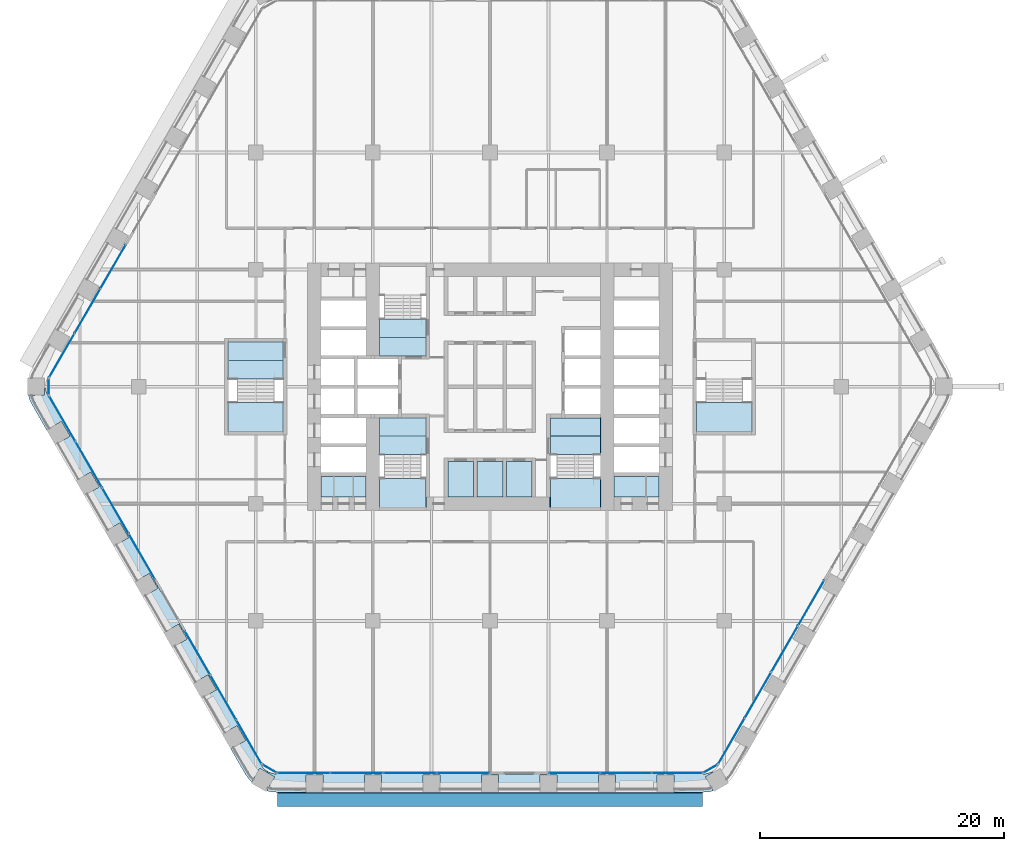
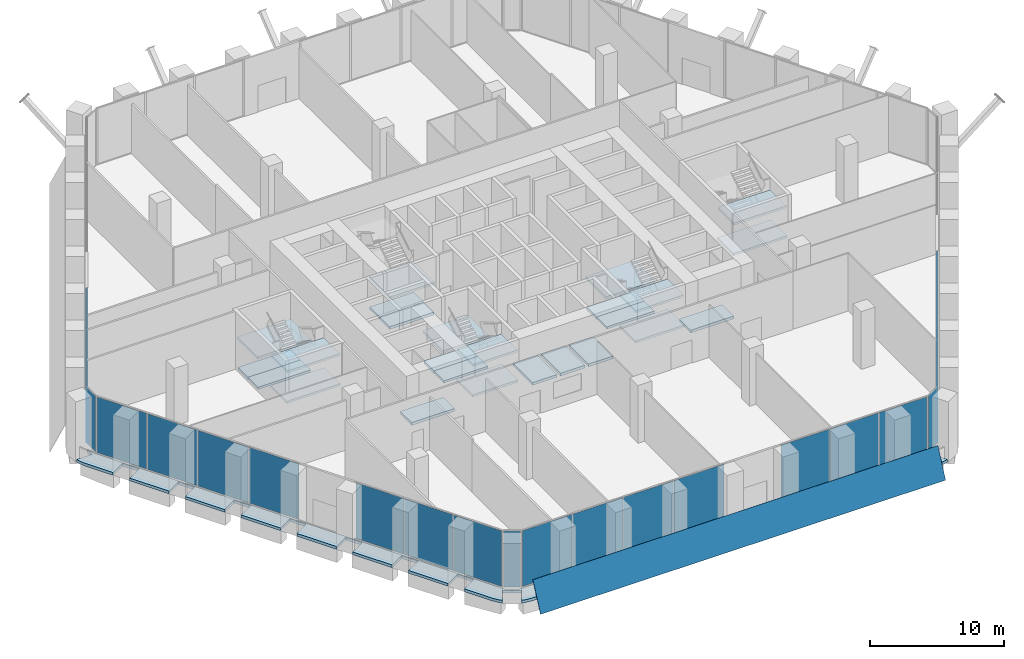
# One storey, part 15 of 29: 27 slabs, 25 plates, 14 elements without a shape of their own.
"""IFC4 building model written with IfcOpenShell, lengths in metres."""

from ifc_helpers import new_model, si_unit, direction, frame, origin, origin_2d, place, context, subcontext, project, spatial, polyline, rectangle, outline, extrude, material, layer, layer_set, type_object, element, aggregate, save


model = new_model("IFC4")

# Units and contexts
model_context = context("Model", 3, precision=1e-05, world=origin(), true_north=direction((0.0, 1.0)))
body_context = subcontext(model_context, "Body", "Model", "MODEL_VIEW")
ifc_project = project(units=[si_unit("LENGTHUNIT", "METRE"), si_unit("AREAUNIT", "SQUARE_METRE"), si_unit("VOLUMEUNIT", "CUBIC_METRE"), si_unit("PLANEANGLEUNIT", "RADIAN"), si_unit("MASSUNIT", "GRAM", prefix="KILO")], contexts=[model_context])

# Site, building, storey
site_placement = place(None, origin())
site = spatial("IfcSite", under=ifc_project, at=site_placement, CompositionType="ELEMENT")
building_placement = place(site_placement, origin())
building = spatial("IfcBuilding", under=site, at=building_placement, Name="Kolab Exchange Tower", CompositionType="ELEMENT")
storey_placement = place(building_placement, frame((0.0, 0.0, 33.39990234375)))
storey = spatial("IfcBuildingStorey", under=building, at=storey_placement, Name="L06", CompositionType="ELEMENT", Elevation=33.39990234375)

# Slabs
ifc_material_1 = material(Name="Concrete C35/45", Category="concrete")
ifc_layer_1 = layer(ifc_material_1, 0.25)
ifc_layer_set_1 = layer_set([ifc_layer_1], Name="Concrete C35/45")
slab_type_1 = type_object("IfcSlabType", Name="FLOOR SLAB 250", PredefinedType="FLOOR", material=ifc_layer_set_1)
slab_1_placement = place(storey_placement, frame((0.0, 0.0, -0.25)))
element("IfcSlab", 1, at=slab_1_placement, inside=storey, type_object=slab_type_1, Name="slab/L06/floor/8", PredefinedType="FLOOR", context=body_context, shape_type="SweptSolid", body=[
    extrude(outline(polyline([(-21.449951171875, 3.64990234375), (-21.449951171875, 2.14990234375), (-16.949951171875, 2.14990234375), (-16.949951171875, 3.64990234375), (-21.449951171875, 3.64990234375)])), origin(), (0.0, 0.0, 1.0), 0.25),
])
slab_2_placement = place(storey_placement, frame((0.0, 0.0, -0.25)))
element("IfcSlab", 2, at=slab_2_placement, inside=storey, type_object=slab_type_1, Name="slab/L06/floor/10", PredefinedType="FLOOR", context=body_context, shape_type="SweptSolid", body=[
    extrude(outline(polyline([(-10.14990234375, -9.050048828125), (-10.14990234375, -7.35009765625), (-13.85009765625, -7.35009765625), (-13.85009765625, -9.050048828125), (-10.14990234375, -9.050048828125)])), origin(), (0.0, 0.0, 1.0), 0.25),
])
slab_3_placement = place(storey_placement, frame((0.0, 0.0, -0.25)))
element("IfcSlab", 3, at=slab_3_placement, inside=storey, type_object=slab_type_1, Name="slab/L06/floor/12", PredefinedType="FLOOR", context=body_context, shape_type="SweptSolid", body=[
    extrude(outline(polyline([(10.14990234375, -7.35009765625), (10.14990234375, -9.050048828125), (13.85009765625, -9.050048828125), (13.85009765625, -7.35009765625), (10.14990234375, -7.35009765625)])), origin(), (0.0, 0.0, 1.0), 0.25),
])
slab_4_placement = place(storey_placement, frame((0.0, 0.0, -0.25)))
element("IfcSlab", 4, at=slab_4_placement, inside=storey, type_object=slab_type_1, Name="slab/L06/floor/14", PredefinedType="FLOOR", context=body_context, shape_type="SweptSolid", body=[
    extrude(outline(polyline([(9.050048828125, -4.050048828125), (9.050048828125, -2.550048828125), (6.14990234375, -2.550048828125), (5.85009765625, -2.550048828125), (4.949951171875, -2.550048828125), (4.949951171875, -4.050048828125), (9.050048828125, -4.050048828125)])), origin(), (0.0, 0.0, 1.0), 0.25),
])
slab_5_placement = place(storey_placement, frame((0.0, 0.0, -0.25)))
element("IfcSlab", 5, at=slab_5_placement, inside=storey, type_object=slab_type_1, Name="slab/L06/floor/15", PredefinedType="FLOOR", context=body_context, shape_type="SweptSolid", body=[
    extrude(outline(polyline([(1.050048828125, -6.14990234375), (-1.050048828125, -6.14990234375), (-1.050048828125, -9.050048828125), (1.050048828125, -9.050048828125), (1.050048828125, -6.14990234375)])), origin(), (0.0, 0.0, 1.0), 0.25),
])
slab_6_placement = place(storey_placement, frame((0.0, 0.0, -0.25)))
element("IfcSlab", 6, at=slab_6_placement, inside=storey, type_object=slab_type_1, Name="slab/L06/floor/17", PredefinedType="FLOOR", context=body_context, shape_type="SweptSolid", body=[
    extrude(outline(polyline([(-1.35009765625, -6.14990234375), (-3.449951171875, -6.14990234375), (-3.449951171875, -9.050048828125), (-1.35009765625, -9.050048828125), (-1.35009765625, -6.14990234375)])), origin(), (0.0, 0.0, 1.0), 0.25),
])
slab_7_placement = place(storey_placement, frame((0.0, 0.0, -0.25)))
element("IfcSlab", 7, at=slab_7_placement, inside=storey, type_object=slab_type_1, Name="slab/L06/floor/19", PredefinedType="FLOOR", context=body_context, shape_type="SweptSolid", body=[
    extrude(outline(polyline([(1.35009765625, -6.14990234375), (1.35009765625, -9.050048828125), (3.449951171875, -9.050048828125), (3.449951171875, -6.14990234375), (1.35009765625, -6.14990234375)])), origin(), (0.0, 0.0, 1.0), 0.25),
])
slab_8_placement = place(storey_placement, frame((0.0, 0.0, -0.25)))
element("IfcSlab", 8, at=slab_8_placement, inside=storey, type_object=slab_type_1, Name="slab/L06/floor/21", PredefinedType="FLOOR", context=body_context, shape_type="SweptSolid", body=[
    extrude(outline(polyline([(-9.050048828125, -4.050048828125), (-5.25, -4.050048828125), (-5.25, -2.550048828125), (-7.25, -2.550048828125), (-7.550048828125, -2.550048828125), (-9.050048828125, -2.550048828125), (-9.050048828125, -4.050048828125)])), origin(), (0.0, 0.0, 1.0), 0.25),
])
slab_9_placement = place(storey_placement, frame((0.0, 0.0, -0.25)))
element("IfcSlab", 9, at=slab_9_placement, inside=storey, type_object=slab_type_1, Name="slab/L06/floor/22", PredefinedType="FLOOR", context=body_context, shape_type="SweptSolid", body=[
    extrude(outline(polyline([(-5.25, 4.050048828125), (-9.050048828125, 4.050048828125), (-9.050048828125, 2.550048828125), (-7.550048828125, 2.550048828125), (-7.25, 2.550048828125), (-5.25, 2.550048828125), (-5.25, 4.050048828125)])), origin(), (0.0, 0.0, 1.0), 0.25),
])
ifc_layer_2 = layer(ifc_material_1, 0.25)
ifc_layer_set_2 = layer_set([ifc_layer_2], Name="Concrete C35/45")
slab_type_2 = type_object("IfcSlabType", Name="LOGGIA SLAB 250", PredefinedType="FLOOR", material=ifc_layer_set_2)
slab_10_placement = place(storey_placement, frame((0.0, 0.0, -0.25)))
element("IfcSlab", 10, at=slab_10_placement, inside=storey, type_object=slab_type_2, Name="slab/L06/loggia/3-0", PredefinedType="FLOOR", context=body_context, shape_type="SweptSolid", body=[
    extrude(outline(polyline([(-18.218017578125, -31.554443359375), (-18.26806640625, -31.64111328125), (-17.66162109375, -31.990966796875), (-18.31494140625, -33.122314453125), (-17.989013671875, -33.209716796875), (-17.468017578125, -33.25537109375), (-15.10009765625, -33.25537109375), (-15.10009765625, -31.85546875), (-13.699951171875, -31.85546875), (-13.699951171875, -33.25537109375), (-10.300048828125, -33.25537109375), (-10.300048828125, -31.85546875), (-8.89990234375, -31.85546875), (-8.89990234375, -33.25537109375), (-5.5, -33.25537109375), (-5.5, -31.85546875), (-4.10009765625, -31.85546875), (-4.10009765625, -33.25537109375), (-0.699951171875, -33.25537109375), (-0.699951171875, -31.85546875), (0.699951171875, -31.85546875), (0.699951171875, -33.25537109375), (4.10009765625, -33.25537109375), (4.10009765625, -31.85546875), (5.5, -31.85546875), (5.5, -33.25537109375), (8.89990234375, -33.25537109375), (8.89990234375, -31.85546875), (10.300048828125, -31.85546875), (10.300048828125, -33.25537109375), (13.699951171875, -33.25537109375), (13.699951171875, -31.85546875), (15.10009765625, -31.85546875), (15.10009765625, -33.25537109375), (17.468017578125, -33.25537109375), (17.989013671875, -33.209716796875), (18.31494140625, -33.122314453125), (17.66162109375, -31.990966796875), (18.26806640625, -31.64111328125), (18.218017578125, -31.554443359375), (17.98095703125, -31.664794921875), (17.728515625, -31.732666015625), (17.468017578125, -31.75537109375), (-17.468017578125, -31.75537109375), (-17.728515625, -31.732666015625), (-17.98095703125, -31.664794921875), (-18.218017578125, -31.554443359375)])), origin(), (0.0, 0.0, 1.0), 0.25),
])
slab_11_placement = place(storey_placement, frame((0.0, 0.0, -0.25)))
element("IfcSlab", 11, at=slab_11_placement, inside=storey, type_object=slab_type_2, Name="slab/L06/loggia/4-0", PredefinedType="FLOOR", context=body_context, shape_type="SweptSolid", body=[
    extrude(outline(polyline([(-36.435791015625, 0.0), (-36.535888671875, 0.0), (-36.535888671875, -0.699951171875), (-37.84228515625, -0.699951171875), (-37.7548828125, -1.026123046875), (-37.533935546875, -1.5), (-36.35009765625, -3.55078125), (-35.137451171875, -2.8505859375), (-34.4375, -4.063232421875), (-35.64990234375, -4.76318359375), (-33.949951171875, -7.70751953125), (-32.737548828125, -7.007568359375), (-32.03759765625, -8.219970703125), (-33.25, -8.920166015625), (-31.550048828125, -11.864501953125), (-30.337646484375, -11.16455078125), (-29.637451171875, -12.376953125), (-30.85009765625, -13.076904296875), (-29.14990234375, -16.021484375), (-27.9375, -15.321533203125), (-27.237548828125, -16.533935546875), (-28.449951171875, -17.23388671875), (-26.75, -20.178466796875), (-25.53759765625, -19.478271484375), (-24.837646484375, -20.69091796875), (-26.050048828125, -21.390869140625), (-24.35009765625, -24.335205078125), (-23.137451171875, -23.63525390625), (-22.4375, -24.84765625), (-23.64990234375, -25.5478515625), (-21.949951171875, -28.4921875), (-20.737548828125, -27.792236328125), (-20.03759765625, -29.004638671875), (-21.25, -29.70458984375), (-20.06591796875, -31.75537109375), (-19.76611328125, -32.183837890625), (-19.52734375, -32.42236328125), (-18.874267578125, -31.291015625), (-18.26806640625, -31.64111328125), (-18.218017578125, -31.554443359375), (-18.43212890625, -31.404541015625), (-18.616943359375, -31.219482421875), (-18.76708984375, -31.00537109375), (-36.23486328125, -0.75), (-36.345458984375, -0.512939453125), (-36.4130859375, -0.260498046875), (-36.435791015625, 0.0)])), origin(), (0.0, 0.0, 1.0), 0.25),
])

# Plate
ifc_material_2 = material(Name="Laminated glass, clear", Category="glass")
ifc_layer_3 = layer(ifc_material_2, 0.0400390625)
ifc_layer_set_3 = layer_set([ifc_layer_3], Name="Laminated glass, clear")
plate_type_1 = type_object("IfcPlateType", Name="OUTER SKIN LAMINATED GLASS SHEET 40", PredefinedType="SHEET", material=ifc_layer_set_3)
plate_1_placement = place(storey_placement, frame((17.41796875, -34.435302734375, -0.782958984375), z_axis=(0.0, -0.906309875243, 0.422613783538), x_axis=(-1.0, 0.0, 0.0)))
element("IfcPlate", 12, at=plate_1_placement, inside=storey, type_object=plate_type_1, Name="Outer skin", PredefinedType="SHEET", context=body_context, shape_type="SweptSolid", body=[
    extrude(outline(polyline([(0.0, 0.0), (34.8359375, 0.0), (34.8359375, -2.7059095846952848), (0.0, -2.7059095846952848), (0.0, 0.0)])), origin(), (0.0, 0.0, -1.0), 0.0400390625),
])

# Stair, slabs
ifc_material_3 = material(Name="Concrete C50/60", Category="concrete")
stair_type_1 = type_object("IfcStairType", Name="STAIR ST1 RISER 171.9", PredefinedType="DOUBLE_RETURN_STAIR", material=ifc_material_3)
stair_1_placement = place(storey_placement, origin())
stair_1 = element("IfcStair", 13, at=stair_1_placement, inside=storey, type_object=stair_type_1, Name="Stair 1", PredefinedType="DOUBLE_RETURN_STAIR")
ifc_layer_4 = layer(ifc_material_3, 0.199951171875)
ifc_layer_set_4 = layer_set([ifc_layer_4], Name="Concrete C50/60")
slab_type_3 = type_object("IfcSlabType", Name="STAIR LANDING 200", PredefinedType="LANDING", material=ifc_layer_set_4)
slab_12_placement = place(storey_placement, frame((0.0, 0.0, -0.199951171875)))
slab_12 = element("IfcSlab", 14, at=slab_12_placement, type_object=slab_type_3, Name="ST1 landing 1", PredefinedType="LANDING", context=body_context, shape_type="SweptSolid", body=[
    extrude(outline(polyline([(-9.050048828125, 4.050048828125), (-5.25, 4.050048828125), (-5.25, 5.550048828125), (-9.050048828125, 5.550048828125), (-9.050048828125, 4.050048828125)])), origin(), (0.0, 0.0, 1.0), 0.199951171875),
])
slab_13_placement = place(storey_placement, frame((0.0, 0.0, 2.550048828125)))
slab_13 = element("IfcSlab", 15, at=slab_13_placement, type_object=slab_type_3, Name="ST1 landing 3", PredefinedType="LANDING", context=body_context, shape_type="SweptSolid", body=[
    extrude(outline(polyline([(-9.110107421875, 2.489990234375), (-5.18994140625, 2.489990234375), (-5.18994140625, 5.550048828125), (-9.110107421875, 5.550048828125), (-9.110107421875, 2.489990234375)])), origin(), (0.0, 0.0, 1.0), 0.199951171875),
])
aggregate(stair_1, [slab_12, slab_13])

stair_type_2 = type_object("IfcStairType", Name="STAIR ST3 RISER 171.9", PredefinedType="DOUBLE_RETURN_STAIR", material=ifc_material_3)
stair_2_placement = place(storey_placement, origin())
stair_2 = element("IfcStair", 16, at=stair_2_placement, inside=storey, type_object=stair_type_2, Name="Stair 3", PredefinedType="DOUBLE_RETURN_STAIR")
slab_14_placement = place(storey_placement, frame((0.0, 0.0, -0.199951171875)))
slab_14 = element("IfcSlab", 17, at=slab_14_placement, type_object=slab_type_3, Name="ST3 landing 1", PredefinedType="LANDING", context=body_context, shape_type="SweptSolid", body=[
    extrude(outline(polyline([(-9.050048828125, -5.550048828125), (-5.25, -5.550048828125), (-5.25, -4.050048828125), (-9.050048828125, -4.050048828125), (-9.050048828125, -5.550048828125)])), origin(), (0.0, 0.0, 1.0), 0.199951171875),
])
slab_15_placement = place(storey_placement, frame((0.0, 0.0, 1.175048828125)))
slab_15 = element("IfcSlab", 18, at=slab_15_placement, type_object=slab_type_3, Name="ST3 landing 2", PredefinedType="LANDING", context=body_context, shape_type="SweptSolid", body=[
    extrude(outline(polyline([(-9.110107421875, -9.909912109375), (-5.18994140625, -9.909912109375), (-5.18994140625, -7.510009765625), (-9.110107421875, -7.510009765625), (-9.110107421875, -9.909912109375)])), origin(), (0.0, 0.0, 1.0), 0.199951171875),
])
slab_16_placement = place(storey_placement, frame((0.0, 0.0, 2.550048828125)))
slab_16 = element("IfcSlab", 19, at=slab_16_placement, type_object=slab_type_3, Name="ST3 landing 3", PredefinedType="LANDING", context=body_context, shape_type="SweptSolid", body=[
    extrude(outline(polyline([(-9.110107421875, -5.550048828125), (-5.18994140625, -5.550048828125), (-5.18994140625, -2.489990234375), (-9.110107421875, -2.489990234375), (-9.110107421875, -5.550048828125)])), origin(), (0.0, 0.0, 1.0), 0.199951171875),
])
slab_17_placement = place(storey_placement, frame((0.0, 0.0, 3.925048828125)))
slab_17 = element("IfcSlab", 20, at=slab_17_placement, type_object=slab_type_3, Name="ST3 landing 4", PredefinedType="LANDING", context=body_context, shape_type="SweptSolid", body=[
    extrude(outline(polyline([(-9.050048828125, -9.909912109375), (-5.25, -9.909912109375), (-5.25, -7.510009765625), (-9.050048828125, -7.510009765625), (-9.050048828125, -9.909912109375)])), origin(), (0.0, 0.0, 1.0), 0.199951171875),
])
aggregate(stair_2, [slab_14, slab_15, slab_16, slab_17])

stair_type_3 = type_object("IfcStairType", Name="STAIR ST2 RISER 171.9", PredefinedType="DOUBLE_RETURN_STAIR", material=ifc_material_3)
stair_3_placement = place(storey_placement, origin())
stair_3 = element("IfcStair", 21, at=stair_3_placement, inside=storey, type_object=stair_type_3, Name="Stair 2", PredefinedType="DOUBLE_RETURN_STAIR")
slab_18_placement = place(storey_placement, frame((0.0, 0.0, -0.199951171875)))
slab_18 = element("IfcSlab", 22, at=slab_18_placement, type_object=slab_type_3, Name="ST2 landing 1", PredefinedType="LANDING", context=body_context, shape_type="SweptSolid", body=[
    extrude(outline(polyline([(4.949951171875, -5.550048828125), (9.050048828125, -5.550048828125), (9.050048828125, -4.050048828125), (4.949951171875, -4.050048828125), (4.949951171875, -5.550048828125)])), origin(), (0.0, 0.0, 1.0), 0.199951171875),
])
slab_19_placement = place(storey_placement, frame((0.0, 0.0, 1.175048828125)))
slab_19 = element("IfcSlab", 23, at=slab_19_placement, type_object=slab_type_3, Name="ST2 landing 2", PredefinedType="LANDING", context=body_context, shape_type="SweptSolid", body=[
    extrude(outline(polyline([(4.889892578125, -9.909912109375), (9.110107421875, -9.909912109375), (9.110107421875, -7.510009765625), (4.889892578125, -7.510009765625), (4.889892578125, -9.909912109375)])), origin(), (0.0, 0.0, 1.0), 0.199951171875),
])
slab_20_placement = place(storey_placement, frame((0.0, 0.0, 2.550048828125)))
slab_20 = element("IfcSlab", 24, at=slab_20_placement, type_object=slab_type_3, Name="ST2 landing 3", PredefinedType="LANDING", context=body_context, shape_type="SweptSolid", body=[
    extrude(outline(polyline([(4.889892578125, -5.550048828125), (9.110107421875, -5.550048828125), (9.110107421875, -2.489990234375), (4.889892578125, -2.489990234375), (4.889892578125, -5.550048828125)])), origin(), (0.0, 0.0, 1.0), 0.199951171875),
])
slab_21_placement = place(storey_placement, frame((0.0, 0.0, 3.925048828125)))
slab_21 = element("IfcSlab", 25, at=slab_21_placement, type_object=slab_type_3, Name="ST2 landing 4", PredefinedType="LANDING", context=body_context, shape_type="SweptSolid", body=[
    extrude(outline(polyline([(4.949951171875, -9.909912109375), (9.050048828125, -9.909912109375), (9.050048828125, -7.510009765625), (4.949951171875, -7.510009765625), (4.949951171875, -9.909912109375)])), origin(), (0.0, 0.0, 1.0), 0.199951171875),
])
aggregate(stair_3, [slab_18, slab_19, slab_20, slab_21])

stair_type_4 = type_object("IfcStairType", Name="STAIR ST4 RISER 171.9", PredefinedType="DOUBLE_RETURN_STAIR", material=ifc_material_3)
stair_4_placement = place(storey_placement, origin())
stair_4 = element("IfcStair", 26, at=stair_4_placement, inside=storey, type_object=stair_type_4, Name="Stair 4", PredefinedType="DOUBLE_RETURN_STAIR")
slab_22_placement = place(storey_placement, frame((0.0, 0.0, 1.175048828125)))
slab_22 = element("IfcSlab", 27, at=slab_22_placement, type_object=slab_type_3, Name="ST4 landing 2", PredefinedType="LANDING", context=body_context, shape_type="SweptSolid", body=[
    extrude(outline(polyline([(16.889892578125, -3.7099609375), (21.510009765625, -3.7099609375), (21.510009765625, -1.31005859375), (16.889892578125, -1.31005859375), (16.889892578125, -3.7099609375)])), origin(), (0.0, 0.0, 1.0), 0.199951171875),
])
slab_23_placement = place(storey_placement, frame((0.0, 0.0, 3.925048828125)))
slab_23 = element("IfcSlab", 28, at=slab_23_placement, type_object=slab_type_3, Name="ST4 landing 4", PredefinedType="LANDING", context=body_context, shape_type="SweptSolid", body=[
    extrude(outline(polyline([(16.949951171875, -3.7099609375), (21.449951171875, -3.7099609375), (21.449951171875, -1.31005859375), (16.949951171875, -1.31005859375), (16.949951171875, -3.7099609375)])), origin(), (0.0, 0.0, 1.0), 0.199951171875),
])
aggregate(stair_4, [slab_22, slab_23])

stair_type_5 = type_object("IfcStairType", Name="STAIR ST5 RISER 171.9", PredefinedType="DOUBLE_RETURN_STAIR", material=ifc_material_3)
stair_5_placement = place(storey_placement, origin())
stair_5 = element("IfcStair", 29, at=stair_5_placement, inside=storey, type_object=stair_type_5, Name="Stair 5", PredefinedType="DOUBLE_RETURN_STAIR")
slab_24_placement = place(storey_placement, frame((0.0, 0.0, -0.199951171875)))
slab_24 = element("IfcSlab", 30, at=slab_24_placement, type_object=slab_type_3, Name="ST5 landing 1", PredefinedType="LANDING", context=body_context, shape_type="SweptSolid", body=[
    extrude(outline(polyline([(-21.449951171875, 0.64990234375), (-16.949951171875, 0.64990234375), (-16.949951171875, 2.14990234375), (-21.449951171875, 2.14990234375), (-21.449951171875, 0.64990234375)])), origin(), (0.0, 0.0, 1.0), 0.199951171875),
])
slab_25_placement = place(storey_placement, frame((0.0, 0.0, 1.175048828125)))
slab_25 = element("IfcSlab", 31, at=slab_25_placement, type_object=slab_type_3, Name="ST5 landing 2", PredefinedType="LANDING", context=body_context, shape_type="SweptSolid", body=[
    extrude(outline(polyline([(-21.510009765625, -3.7099609375), (-16.889892578125, -3.7099609375), (-16.889892578125, -1.31005859375), (-21.510009765625, -1.31005859375), (-21.510009765625, -3.7099609375)])), origin(), (0.0, 0.0, 1.0), 0.199951171875),
])
slab_26_placement = place(storey_placement, frame((0.0, 0.0, 2.550048828125)))
slab_26 = element("IfcSlab", 32, at=slab_26_placement, type_object=slab_type_3, Name="ST5 landing 3", PredefinedType="LANDING", context=body_context, shape_type="SweptSolid", body=[
    extrude(outline(polyline([(-21.510009765625, 0.64990234375), (-16.889892578125, 0.64990234375), (-16.889892578125, 3.7099609375), (-21.510009765625, 3.7099609375), (-21.510009765625, 0.64990234375)])), origin(), (0.0, 0.0, 1.0), 0.199951171875),
])
slab_27_placement = place(storey_placement, frame((0.0, 0.0, 3.925048828125)))
slab_27 = element("IfcSlab", 33, at=slab_27_placement, type_object=slab_type_3, Name="ST5 landing 4", PredefinedType="LANDING", context=body_context, shape_type="SweptSolid", body=[
    extrude(outline(polyline([(-21.449951171875, -3.7099609375), (-16.949951171875, -3.7099609375), (-16.949951171875, -1.31005859375), (-21.449951171875, -1.31005859375), (-21.449951171875, -3.7099609375)])), origin(), (0.0, 0.0, 1.0), 0.199951171875),
])
aggregate(stair_5, [slab_24, slab_25, slab_26, slab_27])

# Curtain wall, plates
ifc_material_4 = material(Name="Aluminium EN AW-6063 T6", Category="aluminium")
curtain_wall_type = type_object("IfcCurtainWallType", Name="UNITISED LOW ZONE CURTAIN WALL", PredefinedType="NOTDEFINED", material=ifc_material_4)
curtain_wall_1_placement = place(storey_placement, origin())
curtain_wall_1 = element("IfcCurtainWall", 34, at=curtain_wall_1_placement, inside=storey, type_object=curtain_wall_type, Name="cw/L06/F3-2", PredefinedType="NOTDEFINED")
ifc_material_5 = material(Name="Clear insulated glazing unit", Category="glass")
ifc_layer_5 = layer(ifc_material_5, 0.02392578125)
ifc_layer_set_5 = layer_set([ifc_layer_5], Name="Clear insulated glazing unit")
plate_type_2 = type_object("IfcPlateType", Name="UNITISED LOW ZONE GLASS PANEL 24", PredefinedType="CURTAIN_PANEL", material=ifc_layer_set_5)
plate_2_placement = place(storey_placement, frame((26.33251953125, -17.74169921875, 0.06005859375), z_axis=(0.0, 0.0, 1.0), x_axis=(-0.5000000112, -0.866025397318, 0.0)))
plate_2 = element("IfcPlate", 35, at=plate_2_placement, type_object=plate_type_2, Name="CW1 panel 1.1", PredefinedType="CURTAIN_PANEL", context=body_context, shape_type="SweptSolid", body=[
    extrude(rectangle(XDim=4.277099609375, YDim=0.02392578125, at=origin_2d()), origin(), (0.0, 0.0, 1.0), 5.080078125),
])
plate_3_placement = place(storey_placement, frame((24.156494140625, -21.510498046875, 0.06005859375), z_axis=(0.0, 0.0, 1.0), x_axis=(-0.5000000112, -0.866025397318, 0.0)))
plate_3 = element("IfcPlate", 36, at=plate_3_placement, type_object=plate_type_2, Name="CW1 panel 2.1", PredefinedType="CURTAIN_PANEL", context=body_context, shape_type="SweptSolid", body=[
    extrude(rectangle(XDim=4.306884765625, YDim=0.02392578125, at=origin_2d()), origin(), (0.0, 0.0, 1.0), 5.080078125),
])
plate_4_placement = place(storey_placement, frame((21.972900390625, -25.29248046875, 0.06005859375), z_axis=(0.0, 0.0, 1.0), x_axis=(-0.5000000112, -0.866025397318, 0.0)))
plate_4 = element("IfcPlate", 37, at=plate_4_placement, type_object=plate_type_2, Name="CW1 panel 3.1", PredefinedType="CURTAIN_PANEL", context=body_context, shape_type="SweptSolid", body=[
    extrude(rectangle(XDim=4.306884765625, YDim=0.02392578125, at=origin_2d()), origin(), (0.0, 0.0, 1.0), 5.080078125),
])
plate_5_placement = place(storey_placement, frame((19.796875, -29.0615234375, 0.06005859375), z_axis=(0.0, 0.0, 1.0), x_axis=(-0.5000000112, -0.866025397318, 0.0)))
plate_5 = element("IfcPlate", 38, at=plate_5_placement, type_object=plate_type_2, Name="CW1 panel 4.1", PredefinedType="CURTAIN_PANEL", context=body_context, shape_type="SweptSolid", body=[
    extrude(rectangle(XDim=4.277099609375, YDim=0.02392578125, at=origin_2d()), origin(), (0.0, 0.0, 1.0), 5.080078125),
])
aggregate(curtain_wall_1, [plate_2, plate_3, plate_4, plate_5])

curtain_wall_2_placement = place(storey_placement, origin())
curtain_wall_2 = element("IfcCurtainWall", 39, at=curtain_wall_2_placement, inside=storey, type_object=curtain_wall_type, Name="cw/L06/F4-1", PredefinedType="NOTDEFINED")
plate_6_placement = place(storey_placement, frame((15.341552734375, -31.67529296875, 0.06005859375), z_axis=(0.0, 0.0, 1.0), x_axis=(-1.0, 0.0, 0.0)))
plate_6 = element("IfcPlate", 40, at=plate_6_placement, type_object=plate_type_2, Name="CW1 panel 1.1", PredefinedType="CURTAIN_PANEL", context=body_context, shape_type="SweptSolid", body=[
    extrude(rectangle(XDim=4.132568359375, YDim=0.02392578125, at=origin_2d()), origin(), (0.0, 0.0, 1.0), 5.080078125),
])
plate_7_placement = place(storey_placement, frame((11.134033203125, -31.67529296875, 0.06005859375), z_axis=(0.0, 0.0, 1.0), x_axis=(-1.0, 0.0, 0.0)))
plate_7 = element("IfcPlate", 41, at=plate_7_placement, type_object=plate_type_2, Name="CW1 panel 2.1", PredefinedType="CURTAIN_PANEL", context=body_context, shape_type="SweptSolid", body=[
    extrude(rectangle(XDim=4.16259765625, YDim=0.02392578125, at=origin_2d()), origin(), (0.0, 0.0, 1.0), 5.080078125),
])
plate_8_placement = place(storey_placement, frame((6.92626953125, -31.67529296875, 0.06005859375), z_axis=(0.0, 0.0, 1.0), x_axis=(-1.0, 0.0, 0.0)))
plate_8 = element("IfcPlate", 42, at=plate_8_placement, type_object=plate_type_2, Name="CW1 panel 3.1", PredefinedType="CURTAIN_PANEL", context=body_context, shape_type="SweptSolid", body=[
    extrude(rectangle(XDim=4.132568359375, YDim=0.02392578125, at=origin_2d()), origin(), (0.0, 0.0, 1.0), 5.080078125),
])
aggregate(curtain_wall_2, [plate_6, plate_7, plate_8])

curtain_wall_3_placement = place(storey_placement, origin())
curtain_wall_3 = element("IfcCurtainWall", 43, at=curtain_wall_3_placement, inside=storey, type_object=curtain_wall_type, Name="cw/L06/F4-2", PredefinedType="NOTDEFINED")
plate_9_placement = place(storey_placement, frame((-2.198486328125, -31.67529296875, 0.06005859375), z_axis=(0.0, 0.0, 1.0), x_axis=(-1.0, 0.0, 0.0)))
plate_9 = element("IfcPlate", 44, at=plate_9_placement, type_object=plate_type_2, Name="CW1 panel 1.1", PredefinedType="CURTAIN_PANEL", context=body_context, shape_type="SweptSolid", body=[
    extrude(rectangle(XDim=4.277099609375, YDim=0.02392578125, at=origin_2d()), origin(), (0.0, 0.0, 1.0), 5.080078125),
])
plate_10_placement = place(storey_placement, frame((-6.550537109375, -31.67529296875, 0.06005859375), z_axis=(0.0, 0.0, 1.0), x_axis=(-1.0, 0.0, 0.0)))
plate_10 = element("IfcPlate", 45, at=plate_10_placement, type_object=plate_type_2, Name="CW1 panel 2.1", PredefinedType="CURTAIN_PANEL", context=body_context, shape_type="SweptSolid", body=[
    extrude(rectangle(XDim=4.306884765625, YDim=0.02392578125, at=origin_2d()), origin(), (0.0, 0.0, 1.0), 5.080078125),
])
plate_11_placement = place(storey_placement, frame((-10.91748046875, -31.67529296875, 0.06005859375), z_axis=(0.0, 0.0, 1.0), x_axis=(-1.0, 0.0, 0.0)))
plate_11 = element("IfcPlate", 46, at=plate_11_placement, type_object=plate_type_2, Name="CW1 panel 3.1", PredefinedType="CURTAIN_PANEL", context=body_context, shape_type="SweptSolid", body=[
    extrude(rectangle(XDim=4.306884765625, YDim=0.02392578125, at=origin_2d()), origin(), (0.0, 0.0, 1.0), 5.080078125),
])
plate_12_placement = place(storey_placement, frame((-15.26953125, -31.67529296875, 0.06005859375), z_axis=(0.0, 0.0, 1.0), x_axis=(-1.0, 0.0, 0.0)))
plate_12 = element("IfcPlate", 47, at=plate_12_placement, type_object=plate_type_2, Name="CW1 panel 4.1", PredefinedType="CURTAIN_PANEL", context=body_context, shape_type="SweptSolid", body=[
    extrude(rectangle(XDim=4.277099609375, YDim=0.02392578125, at=origin_2d()), origin(), (0.0, 0.0, 1.0), 5.080078125),
])
aggregate(curtain_wall_3, [plate_9, plate_10, plate_11, plate_12])

curtain_wall_4_placement = place(storey_placement, origin())
curtain_wall_4 = element("IfcCurtainWall", 48, at=curtain_wall_4_placement, inside=storey, type_object=curtain_wall_type, Name="cw/L06/F5-1", PredefinedType="NOTDEFINED")
plate_13_placement = place(storey_placement, frame((-19.760986328125, -29.1240234375, 0.06005859375), z_axis=(0.0, 0.0, 1.0), x_axis=(-0.500000017564, 0.866025393644, 0.0)))
plate_13 = element("IfcPlate", 49, at=plate_13_placement, type_object=plate_type_2, Name="CW1 panel 1.1", PredefinedType="CURTAIN_PANEL", context=body_context, shape_type="SweptSolid", body=[
    extrude(rectangle(XDim=4.132568359375, YDim=0.02392578125, at=origin_2d()), origin(), (0.0, 0.0, 1.0), 5.080078125),
])
plate_14_placement = place(storey_placement, frame((-21.86474609375, -25.47998046875, 0.06005859375), z_axis=(0.0, 0.0, 1.0), x_axis=(-0.500000017564, 0.866025393644, 0.0)))
plate_14 = element("IfcPlate", 50, at=plate_14_placement, type_object=plate_type_2, Name="CW1 panel 2.1", PredefinedType="CURTAIN_PANEL", context=body_context, shape_type="SweptSolid", body=[
    extrude(rectangle(XDim=4.16259765625, YDim=0.02392578125, at=origin_2d()), origin(), (0.0, 0.0, 1.0), 5.080078125),
])
plate_15_placement = place(storey_placement, frame((-23.968505859375, -21.836181640625, 0.06005859375), z_axis=(0.0, 0.0, 1.0), x_axis=(-0.500000017564, 0.866025393644, 0.0)))
plate_15 = element("IfcPlate", 51, at=plate_15_placement, type_object=plate_type_2, Name="CW1 panel 3.1", PredefinedType="CURTAIN_PANEL", context=body_context, shape_type="SweptSolid", body=[
    extrude(rectangle(XDim=4.132568359375, YDim=0.02392578125, at=origin_2d()), origin(), (0.0, 0.0, 1.0), 5.080078125),
])
aggregate(curtain_wall_4, [plate_13, plate_14, plate_15])

curtain_wall_5_placement = place(storey_placement, origin())
curtain_wall_5 = element("IfcCurtainWall", 52, at=curtain_wall_5_placement, inside=storey, type_object=curtain_wall_type, Name="cw/L06/F5-2", PredefinedType="NOTDEFINED")
plate_16_placement = place(storey_placement, frame((-28.531005859375, -13.933837890625, 0.06005859375), z_axis=(0.0, 0.0, 1.0), x_axis=(-0.499999968274, 0.866025422102, 0.0)))
plate_16 = element("IfcPlate", 53, at=plate_16_placement, type_object=plate_type_2, Name="CW1 panel 1.1", PredefinedType="CURTAIN_PANEL", context=body_context, shape_type="SweptSolid", body=[
    extrude(rectangle(XDim=4.277099609375, YDim=0.02392578125, at=origin_2d()), origin(), (0.0, 0.0, 1.0), 5.080078125),
])
plate_17_placement = place(storey_placement, frame((-30.70703125, -10.164794921875, 0.06005859375), z_axis=(0.0, 0.0, 1.0), x_axis=(-0.499999968274, 0.866025422102, 0.0)))
plate_17 = element("IfcPlate", 54, at=plate_17_placement, type_object=plate_type_2, Name="CW1 panel 2.1", PredefinedType="CURTAIN_PANEL", context=body_context, shape_type="SweptSolid", body=[
    extrude(rectangle(XDim=4.306884765625, YDim=0.02392578125, at=origin_2d()), origin(), (0.0, 0.0, 1.0), 5.080078125),
])
plate_18_placement = place(storey_placement, frame((-32.890380859375, -6.3828125, 0.06005859375), z_axis=(0.0, 0.0, 1.0), x_axis=(-0.499999968274, 0.866025422102, 0.0)))
plate_18 = element("IfcPlate", 55, at=plate_18_placement, type_object=plate_type_2, Name="CW1 panel 3.1", PredefinedType="CURTAIN_PANEL", context=body_context, shape_type="SweptSolid", body=[
    extrude(rectangle(XDim=4.306884765625, YDim=0.02392578125, at=origin_2d()), origin(), (0.0, 0.0, 1.0), 5.080078125),
])
plate_19_placement = place(storey_placement, frame((-35.06640625, -2.614013671875, 0.06005859375), z_axis=(0.0, 0.0, 1.0), x_axis=(-0.499999968274, 0.866025422102, 0.0)))
plate_19 = element("IfcPlate", 56, at=plate_19_placement, type_object=plate_type_2, Name="CW1 panel 4.1", PredefinedType="CURTAIN_PANEL", context=body_context, shape_type="SweptSolid", body=[
    extrude(rectangle(XDim=4.277099609375, YDim=0.02392578125, at=origin_2d()), origin(), (0.0, 0.0, 1.0), 5.080078125),
])
aggregate(curtain_wall_5, [plate_16, plate_17, plate_18, plate_19])

curtain_wall_6_placement = place(storey_placement, origin())
curtain_wall_6 = element("IfcCurtainWall", 57, at=curtain_wall_6_placement, inside=storey, type_object=curtain_wall_type, Name="cw/L06/F6-1", PredefinedType="NOTDEFINED")
plate_20_placement = place(storey_placement, frame((-35.1025390625, 2.551513671875, 0.06005859375), z_axis=(0.0, 0.0, 1.0), x_axis=(0.499999958358, 0.866025427826, 0.0)))
plate_20 = element("IfcPlate", 58, at=plate_20_placement, type_object=plate_type_2, Name="CW1 panel 1.1", PredefinedType="CURTAIN_PANEL", context=body_context, shape_type="SweptSolid", body=[
    extrude(rectangle(XDim=4.132568359375, YDim=0.02392578125, at=origin_2d()), origin(), (0.0, 0.0, 1.0), 5.080078125),
])
plate_21_placement = place(storey_placement, frame((-32.998779296875, 6.1953125, 0.06005859375), z_axis=(0.0, 0.0, 1.0), x_axis=(0.499999958358, 0.866025427826, 0.0)))
plate_21 = element("IfcPlate", 59, at=plate_21_placement, type_object=plate_type_2, Name="CW1 panel 2.1", PredefinedType="CURTAIN_PANEL", context=body_context, shape_type="SweptSolid", body=[
    extrude(rectangle(XDim=4.16259765625, YDim=0.02392578125, at=origin_2d()), origin(), (0.0, 0.0, 1.0), 5.080078125),
])
plate_22_placement = place(storey_placement, frame((-30.894775390625, 9.83935546875, 0.06005859375), z_axis=(0.0, 0.0, 1.0), x_axis=(0.499999958358, 0.866025427826, 0.0)))
plate_22 = element("IfcPlate", 60, at=plate_22_placement, type_object=plate_type_2, Name="CW1 panel 3.1", PredefinedType="CURTAIN_PANEL", context=body_context, shape_type="SweptSolid", body=[
    extrude(rectangle(XDim=4.132568359375, YDim=0.02392578125, at=origin_2d()), origin(), (0.0, 0.0, 1.0), 5.080078125),
])
aggregate(curtain_wall_6, [plate_20, plate_21, plate_22])

# Curtain wall, plate
curtain_wall_7_placement = place(storey_placement, origin())
curtain_wall_7 = element("IfcCurtainWall", 61, at=curtain_wall_7_placement, inside=storey, type_object=curtain_wall_type, Name="cw/L06/F3F4-corner", PredefinedType="NOTDEFINED")
plate_23_placement = place(storey_placement, frame((18.082763671875, -31.3203125, 0.06005859375), z_axis=(0.0, 0.0, 1.0), x_axis=(-0.866025390869, -0.50000002237, 0.0)))
plate_23 = element("IfcPlate", 62, at=plate_23_placement, type_object=plate_type_2, Name="CW1 panel 1.1", PredefinedType="CURTAIN_PANEL", context=body_context, shape_type="SweptSolid", body=[
    extrude(rectangle(XDim=1.300048828125, YDim=0.02392578125, at=origin_2d()), origin(), (0.0, 0.0, 1.0), 5.080078125),
])
aggregate(curtain_wall_7, [plate_23])

curtain_wall_8_placement = place(storey_placement, origin())
curtain_wall_8 = element("IfcCurtainWall", 63, at=curtain_wall_8_placement, inside=storey, type_object=curtain_wall_type, Name="cw/L06/F4F5-corner", PredefinedType="NOTDEFINED")
plate_24_placement = place(storey_placement, frame((-18.082763671875, -31.3203125, 0.06005859375), z_axis=(0.0, 0.0, 1.0), x_axis=(-0.866025390869, 0.50000002237, 0.0)))
plate_24 = element("IfcPlate", 64, at=plate_24_placement, type_object=plate_type_2, Name="CW1 panel 1.1", PredefinedType="CURTAIN_PANEL", context=body_context, shape_type="SweptSolid", body=[
    extrude(rectangle(XDim=1.300048828125, YDim=0.02392578125, at=origin_2d()), origin(), (0.0, 0.0, 1.0), 5.080078125),
])
aggregate(curtain_wall_8, [plate_24])

curtain_wall_9_placement = place(storey_placement, origin())
curtain_wall_9 = element("IfcCurtainWall", 65, at=curtain_wall_9_placement, inside=storey, type_object=curtain_wall_type, Name="cw/L06/F5F6-corner", PredefinedType="NOTDEFINED")
plate_25_placement = place(storey_placement, frame((-36.165771484375, 0.0, 0.06005859375), z_axis=(0.0, 0.0, 1.0), x_axis=(0.0, 1.0, 0.0)))
plate_25 = element("IfcPlate", 66, at=plate_25_placement, type_object=plate_type_2, Name="CW1 panel 1.1", PredefinedType="CURTAIN_PANEL", context=body_context, shape_type="SweptSolid", body=[
    extrude(rectangle(XDim=1.300048828125, YDim=0.02392578125, at=origin_2d()), origin(), (0.0, 0.0, 1.0), 5.080078125),
])
aggregate(curtain_wall_9, [plate_25])

save(model, "model.ifc")
